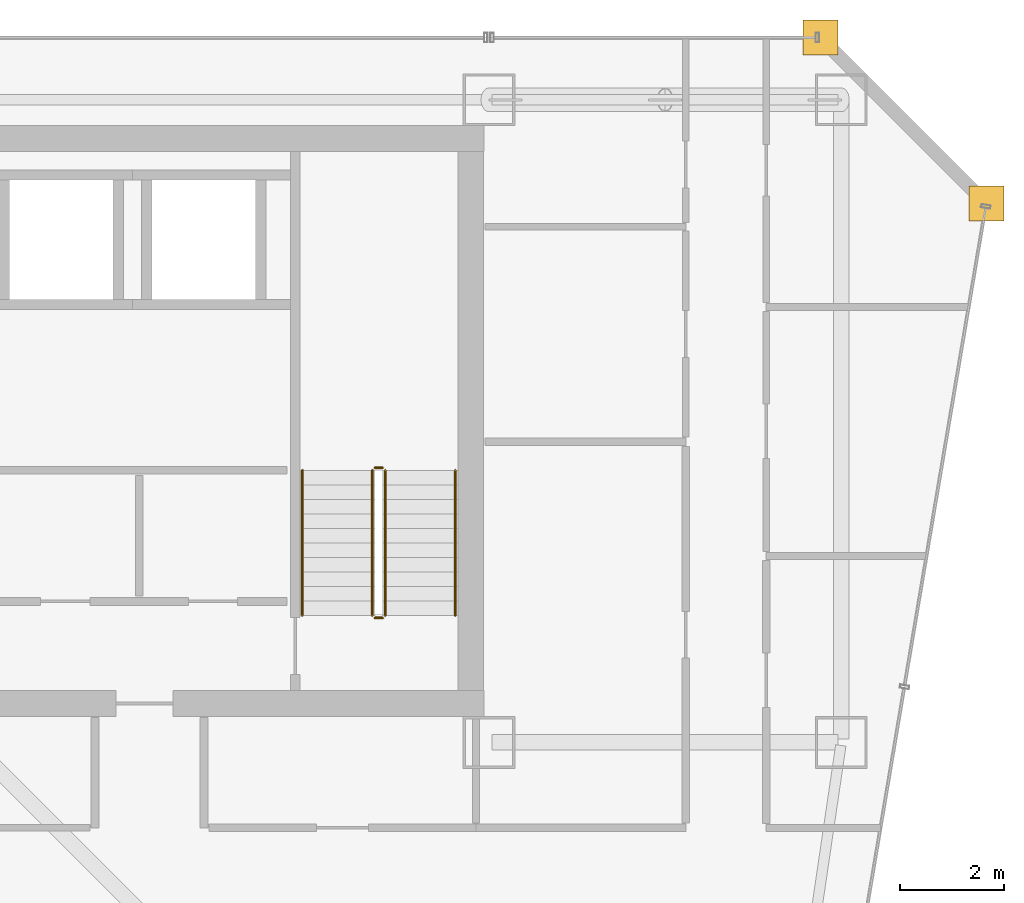
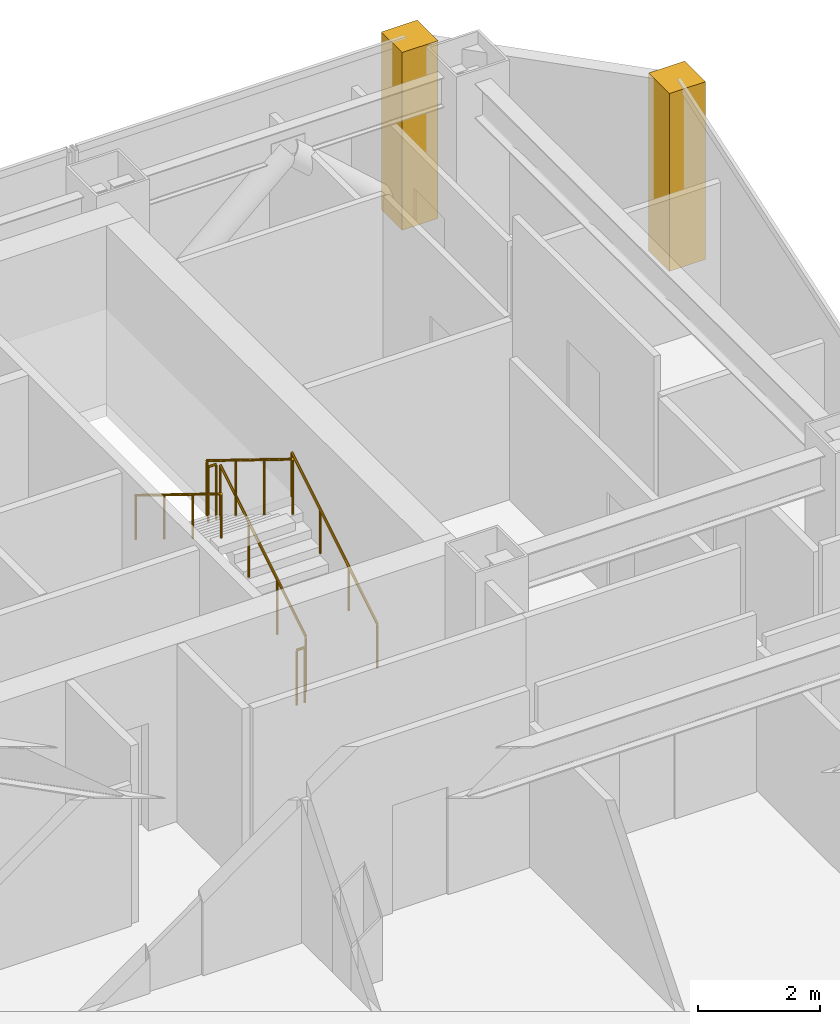
# One storey, part 35 of 35: 6 railings, 2 coverings.
"""IFC4 building model written with IfcOpenShell, lengths in metres."""

from ifc_helpers import new_model, si_unit, direction, frame, origin, origin_2d, place, context, subcontext, project, spatial, polyline, circle, outline, extrude, material, layer, layer_set, type_object, element, save


model = new_model("IFC4")

# Units and contexts
model_context = context("Model", 3, precision=1e-05, world=origin(), true_north=direction((0.0, 1.0)))
body_context = subcontext(model_context, "Body", "Model", "MODEL_VIEW")
ifc_project = project(units=[si_unit("LENGTHUNIT", "METRE"), si_unit("AREAUNIT", "SQUARE_METRE"), si_unit("VOLUMEUNIT", "CUBIC_METRE"), si_unit("PLANEANGLEUNIT", "RADIAN"), si_unit("MASSUNIT", "GRAM", prefix="KILO")], contexts=[model_context])

# Site, building, storey
site_placement = place(None, origin())
site = spatial("IfcSite", under=ifc_project, at=site_placement, CompositionType="ELEMENT")
building_placement = place(site_placement, origin())
building = spatial("IfcBuilding", under=site, at=building_placement, Name="Saevonmaru Cultural Tower", CompositionType="ELEMENT")
storey_placement = place(building_placement, frame((0.0, 0.0, 175.199951171875)))
storey = spatial("IfcBuildingStorey", under=building, at=storey_placement, Name="L39", CompositionType="ELEMENT", Elevation=175.199951171875)

# Coverings
ifc_material_1 = material(Name="Satin Bronze Anodised Aluminium", Category="aluminium")
ifc_layer = layer(ifc_material_1, 0.679931640625, Name="Satin Bronze Anodised Aluminium")
ifc_layer_set = layer_set([ifc_layer], Name="Satin Bronze Anodised Aluminium")
covering_type = type_object("IfcCoveringType", Name="CV-CORNER-CLAD", PredefinedType="CLADDING", material=ifc_layer_set)
covering_1_placement = place(storey_placement, origin())
element("IfcCovering", 1, at=covering_1_placement, inside=storey, type_object=covering_type, Name="L39 Tower Bronze Corner Cladding Pier 9", PredefinedType="CLADDING", context=body_context, shape_type="SweptSolid", body=[
    extrude(outline(polyline([(55.659912109375, 52.4599609375), (56.340087890625, 52.4599609375), (56.340087890625, 53.139892578125), (55.659912109375, 53.139892578125), (55.659912109375, 52.4599609375)])), origin(), (0.0, 0.0, 1.0), 3.550048828125),
])
covering_2_placement = place(storey_placement, origin())
element("IfcCovering", 2, at=covering_2_placement, inside=storey, type_object=covering_type, Name="L39 Tower Bronze Corner Cladding Pier 10", PredefinedType="CLADDING", context=body_context, shape_type="SweptSolid", body=[
    extrude(outline(polyline([(52.4599609375, 55.659912109375), (53.139892578125, 55.659912109375), (53.139892578125, 56.340087890625), (52.4599609375, 56.340087890625), (52.4599609375, 55.659912109375)])), origin(), (0.0, 0.0, 1.0), 3.550048828125),
])

# Railings
ifc_material_2 = material(Name="Architectural Painted Steel", Category="steel")
railing_type_1 = type_object("IfcRailingType", Name="RL-STAIR-GUARD", PredefinedType="GUARDRAIL", material=ifc_material_2)
railing_1_placement = place(storey_placement, frame((44.39990234375, 44.85009765625, 0.1728515625)))
element("IfcRailing", 3, at=railing_1_placement, inside=storey, type_object=railing_type_1, Name="L39 ST-2 stair guard 1", PredefinedType="GUARDRAIL", context=body_context, shape_type="SweptSolid", body=[
    extrude(circle(Radius=0.02392578125, at=origin_2d()), frame((0.0, 0.0, 1.09619140625), z_axis=(0.0, 0.851069175582, 0.525053576669), x_axis=(-1.0, 0.0, 0.0)), (0.0, 0.0, 1.0), 3.289794921875),
    extrude(circle(Radius=0.02099609375, at=origin_2d()), origin(), (0.0, 0.0, 1.0), 1.072021484375),
    extrude(circle(Radius=0.02099609375, at=origin_2d()), frame((0.0, 0.933349609375, 0.57568359375)), (0.0, 0.0, 1.0), 1.072021484375),
    extrude(circle(Radius=0.02099609375, at=origin_2d()), frame((0.0, 1.866455078125, 1.151611328125)), (0.0, 0.0, 1.0), 1.072021484375),
    extrude(circle(Radius=0.02099609375, at=origin_2d()), frame((0.0, 2.7998046875, 1.727294921875)), (0.0, 0.0, 1.0), 1.072021484375),
])
railing_2_placement = place(storey_placement, frame((44.35009765625, 47.699951171875, 1.900146484375)))
element("IfcRailing", 4, at=railing_2_placement, inside=storey, type_object=railing_type_1, Name="L39 ST-2 stair guard 2", PredefinedType="GUARDRAIL", context=body_context, shape_type="SweptSolid", body=[
    extrude(circle(Radius=0.02392578125, at=origin_2d()), frame((0.0, 0.0, 1.09619140625), z_axis=(-1.0, 0.0, 0.0), x_axis=(0.0, -1.0, 0.0)), (0.0, 0.0, 1.0), 0.150146484375),
    extrude(circle(Radius=0.02099609375, at=origin_2d()), origin(), (0.0, 0.0, 1.0), 1.072021484375),
    extrude(circle(Radius=0.02099609375, at=origin_2d()), frame((-0.150146484375, 0.0, 0.0)), (0.0, 0.0, 1.0), 1.072021484375),
])
railing_3_placement = place(storey_placement, frame((44.14990234375, 47.64990234375, 2.07275390625)))
element("IfcRailing", 5, at=railing_3_placement, inside=storey, type_object=railing_type_1, Name="L39 ST-2 stair guard 3", PredefinedType="GUARDRAIL", context=body_context, shape_type="SweptSolid", body=[
    extrude(circle(Radius=0.02392578125, at=origin_2d()), frame((0.0, 0.0, 1.09619140625), z_axis=(0.0, -0.851069175582, 0.525053576669), x_axis=(1.0, 0.0, 0.0)), (0.0, 0.0, 1.0), 3.289794921875),
    extrude(circle(Radius=0.02099609375, at=origin_2d()), origin(), (0.0, 0.0, 1.0), 1.072021484375),
    extrude(circle(Radius=0.02099609375, at=origin_2d()), frame((0.0, -0.933349609375, 0.57568359375)), (0.0, 0.0, 1.0), 1.072021484375),
    extrude(circle(Radius=0.02099609375, at=origin_2d()), frame((0.0, -1.866455078125, 1.151611328125)), (0.0, 0.0, 1.0), 1.072021484375),
    extrude(circle(Radius=0.02099609375, at=origin_2d()), frame((0.0, -2.7998046875, 1.727294921875)), (0.0, 0.0, 1.0), 1.072021484375),
])
railing_4_placement = place(storey_placement, frame((44.35009765625, 44.800048828125, 0.0)))
element("IfcRailing", 6, at=railing_4_placement, inside=storey, type_object=railing_type_1, Name="L39 ST-2 stair guard 4", PredefinedType="GUARDRAIL", context=body_context, shape_type="SweptSolid", body=[
    extrude(circle(Radius=0.02392578125, at=origin_2d()), frame((0.0, 0.0, 1.09619140625), z_axis=(-1.0, 0.0, 0.0), x_axis=(0.0, -1.0, 0.0)), (0.0, 0.0, 1.0), 0.150146484375),
    extrude(circle(Radius=0.02099609375, at=origin_2d()), origin(), (0.0, 0.0, 1.0), 1.072021484375),
    extrude(circle(Radius=0.02099609375, at=origin_2d()), frame((-0.150146484375, 0.0, 0.0)), (0.0, 0.0, 1.0), 1.072021484375),
])
railing_type_2 = type_object("IfcRailingType", Name="RL-STAIR-HANDRAIL", PredefinedType="HANDRAIL", material=ifc_material_1)
railing_5_placement = place(storey_placement, frame((45.75, 44.85009765625, 0.1728515625)))
element("IfcRailing", 7, at=railing_5_placement, inside=storey, type_object=railing_type_2, Name="L39 ST-2 stair handrail 1", PredefinedType="HANDRAIL", context=body_context, shape_type="SweptSolid", body=[
    extrude(circle(Radius=0.02392578125, at=origin_2d()), frame((0.0, 0.0, 0.8759765625), z_axis=(0.0, 0.851069175582, 0.525053576669), x_axis=(-1.0, 0.0, 0.0)), (0.0, 0.0, 1.0), 3.289794921875),
    extrude(circle(Radius=0.02099609375, at=origin_2d()), origin(), (0.0, 0.0, 1.0), 0.851806640625),
    extrude(circle(Radius=0.02099609375, at=origin_2d()), frame((0.0, 0.933349609375, 0.57568359375)), (0.0, 0.0, 1.0), 0.851806640625),
    extrude(circle(Radius=0.02099609375, at=origin_2d()), frame((0.0, 1.866455078125, 1.151611328125)), (0.0, 0.0, 1.0), 0.851806640625),
    extrude(circle(Radius=0.02099609375, at=origin_2d()), frame((0.0, 2.7998046875, 1.727294921875)), (0.0, 0.0, 1.0), 0.851806640625),
])
railing_6_placement = place(storey_placement, frame((42.800048828125, 47.64990234375, 2.07275390625)))
element("IfcRailing", 8, at=railing_6_placement, inside=storey, type_object=railing_type_2, Name="L39 ST-2 stair handrail 2", PredefinedType="HANDRAIL", context=body_context, shape_type="SweptSolid", body=[
    extrude(circle(Radius=0.02392578125, at=origin_2d()), frame((0.0, 0.0, 0.8759765625), z_axis=(0.0, -0.851069175582, 0.525053576669), x_axis=(1.0, 0.0, 0.0)), (0.0, 0.0, 1.0), 3.289794921875),
    extrude(circle(Radius=0.02099609375, at=origin_2d()), origin(), (0.0, 0.0, 1.0), 0.851806640625),
    extrude(circle(Radius=0.02099609375, at=origin_2d()), frame((0.0, -0.933349609375, 0.57568359375)), (0.0, 0.0, 1.0), 0.851806640625),
    extrude(circle(Radius=0.02099609375, at=origin_2d()), frame((0.0, -1.866455078125, 1.151611328125)), (0.0, 0.0, 1.0), 0.851806640625),
    extrude(circle(Radius=0.02099609375, at=origin_2d()), frame((0.0, -2.7998046875, 1.727294921875)), (0.0, 0.0, 1.0), 0.851806640625),
])

save(model, "model.ifc")
